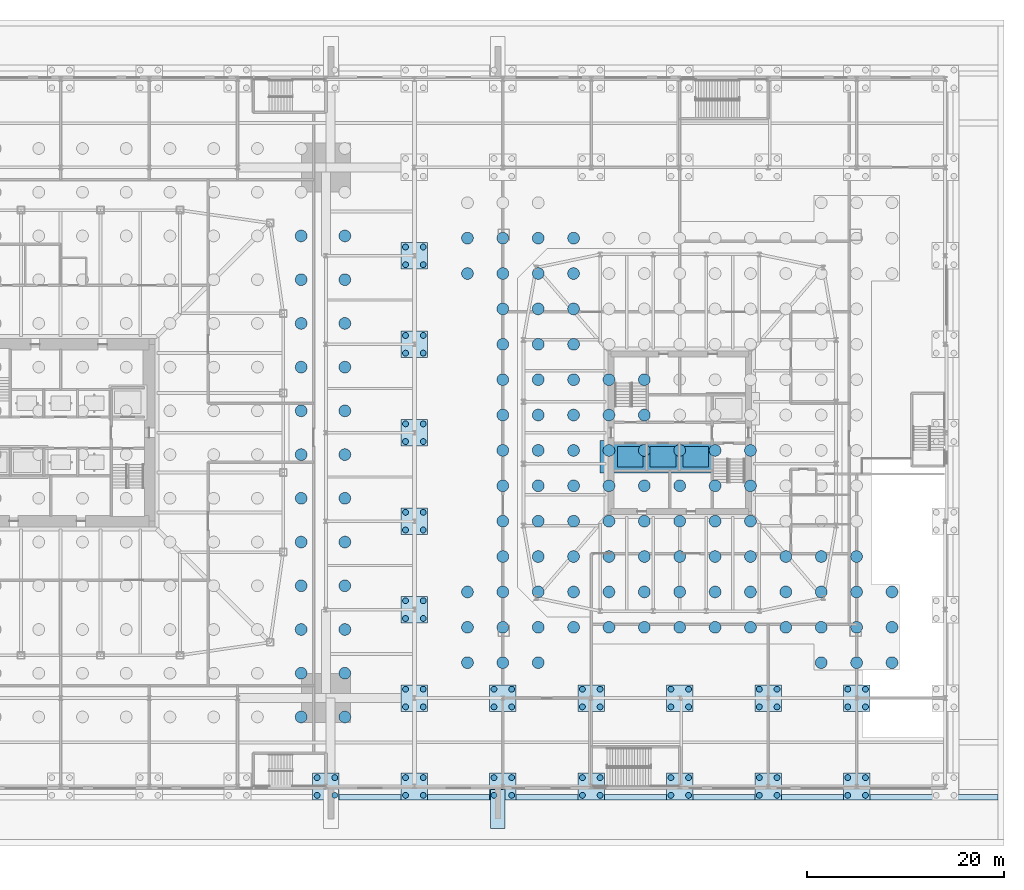
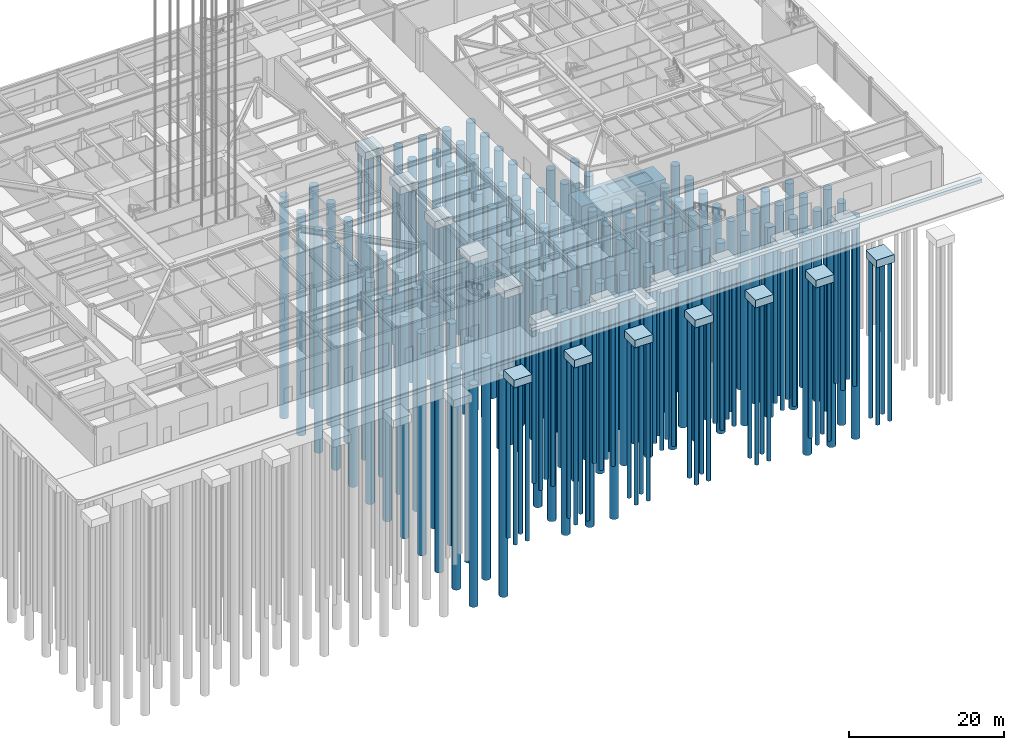
# One storey, part 2 of 37: 187 piles, 25 footings.
"""IFC4 building model written with IfcOpenShell, lengths in metres."""

import ifcopenshell
import ifcopenshell.guid

model = None  # the IFC model being written
_history = None  # IfcOwnerHistory: only IFC2X3 demands one
_inside = {}  # id of a spatial element -> (the spatial element, [elements in it])
_under = {}  # id of a project, library or spatial element -> (it, [spatial elements below it])
_declared = {}  # id of a project -> (the project, [libraries it declares])
_typed = {}  # id of a type object -> (the type object, [elements of that type])
_made_of = {}  # id of a material, layer set ... -> (it, [elements and type objects made of it])


def new_model(schema):
    """Start an empty IFC model of exactly this schema.

    Asked for "IFC4X3", IfcOpenShell would pick the latest addendum, in which some entities
    have other attributes; the version numbers below select the first issue.
    IFC2X3 requires an IfcOwnerHistory on every rooted entity: one is made here for all.
    """
    global model, _history
    if schema == "IFC4X3":
        model = ifcopenshell.file(schema_version=(4, 3, 0, 0))
    else:
        model = ifcopenshell.file(schema=schema)
    _inside.clear()
    _under.clear()
    _declared.clear()
    _typed.clear()
    _made_of.clear()
    _history = None
    if model.schema == "IFC2X3":
        org = make("IfcOrganization", Name="unknown")
        user = make(
            "IfcPersonAndOrganization",
            ThePerson=make("IfcPerson", FamilyName="unknown"),
            TheOrganization=org,
        )
        app = make(
            "IfcApplication",
            ApplicationDeveloper=org,
            Version="unknown",
            ApplicationFullName="unknown",
            ApplicationIdentifier="unknown",
        )
        _history = make(
            "IfcOwnerHistory",
            OwningUser=user,
            OwningApplication=app,
            ChangeAction="ADDED",
            CreationDate=0,
        )
    return model


def make(cls, **values):
    """One entity of the class cls with the attributes given. An attribute that is None is left unset."""
    return model.create_entity(
        cls, **{name: value for name, value in values.items() if value is not None}
    )


def rooted(cls, **values):
    """An entity with a GlobalId (a new one), such as an element, a storey or a relation."""
    return make(cls, GlobalId=ifcopenshell.guid.new(), OwnerHistory=_history, **values)


def si_unit(unit_type, name, prefix=None):
    """IfcSIUnit, for example si_unit("LENGTHUNIT", "METRE", prefix="MILLI")."""
    return make("IfcSIUnit", UnitType=unit_type, Prefix=prefix, Name=name)


def assignment(units):
    """IfcUnitAssignment: the units of a project."""
    return None if units is None else make("IfcUnitAssignment", Units=units)


def point(xyz):
    """IfcCartesianPoint."""
    return None if xyz is None else make("IfcCartesianPoint", Coordinates=xyz)


def direction(xyz):
    """IfcDirection."""
    return None if xyz is None else make("IfcDirection", DirectionRatios=xyz)


def frame(location, z_axis=None, x_axis=None):
    """IfcAxis2Placement3D, a coordinate frame: its origin and axes. An axis left out is left unset."""
    return make(
        "IfcAxis2Placement3D",
        Location=point(location),
        Axis=direction(z_axis),
        RefDirection=direction(x_axis),
    )


def frame_2d(location, x_axis=None):
    """IfcAxis2Placement2D, a coordinate frame in the plane: its origin and x axis."""
    return make(
        "IfcAxis2Placement2D", Location=point(location), RefDirection=direction(x_axis)
    )


def origin():
    """The frame at (0, 0, 0) with its axes left unset."""
    return frame((0.0, 0.0, 0.0))


def origin_2d():
    """The frame at (0, 0) in the plane with its x axis left unset."""
    return frame_2d((0.0, 0.0))


def place(relative_to, where):
    """IfcLocalPlacement: puts the frame where relative to a parent placement (None: the world)."""
    return make(
        "IfcLocalPlacement", PlacementRelTo=relative_to, RelativePlacement=where
    )


def context(
    kind, dimensions, precision=None, world=None, true_north=None, identifier=None
):
    """IfcGeometricRepresentationContext, for example the 3D "Model" context."""
    return make(
        "IfcGeometricRepresentationContext",
        ContextIdentifier=identifier,
        ContextType=kind,
        CoordinateSpaceDimension=dimensions,
        Precision=precision,
        WorldCoordinateSystem=world,
        TrueNorth=true_north,
    )


def subcontext(parent, identifier, kind, view, scale=None):
    """IfcGeometricRepresentationSubContext, for example "Body" below "Model"."""
    return make(
        "IfcGeometricRepresentationSubContext",
        ContextIdentifier=identifier,
        ContextType=kind,
        ParentContext=parent,
        TargetScale=scale,
        TargetView=view,
    )


def project(units=None, contexts=None):
    """IfcProject with its units and contexts."""
    return rooted(
        "IfcProject",
        Name="project",
        RepresentationContexts=contexts,
        UnitsInContext=assignment(units),
    )


def spatial(cls, under=None, at=None, **own):
    """A site, building, storey or space (cls), placed at a placement, below another one or the project."""
    s = rooted(cls, ObjectPlacement=at, **own)
    if under is not None:
        _under.setdefault(under.id(), (under, []))[1].append(s)
    return s


def polyline(points):
    """IfcPolyline through the points."""
    return make("IfcPolyline", Points=[point(p) for p in points])


def profile(cls, at=None, kind="AREA", **sizes):
    """A parametric profile (cls). Its sizes go by their IFC names, for example OverallWidth=200.0."""
    return make(cls, ProfileType=kind, Position=at, **sizes)


def rectangle(**sizes):
    """IfcRectangleProfileDef."""
    return profile("IfcRectangleProfileDef", **sizes)


def circle(**sizes):
    """IfcCircleProfileDef."""
    return profile("IfcCircleProfileDef", **sizes)


def outline(outer, holes=None, kind="AREA"):
    """IfcArbitraryClosedProfileDef: a profile drawn as a closed curve; with holes, ...WithVoids."""
    if holes is None:
        return make("IfcArbitraryClosedProfileDef", ProfileType=kind, OuterCurve=outer)
    return make(
        "IfcArbitraryProfileDefWithVoids",
        ProfileType=kind,
        OuterCurve=outer,
        InnerCurves=holes,
    )


def extrude(swept, where, along, depth):
    """IfcExtrudedAreaSolid: the profile swept, set in the frame where, extruded along a direction by depth."""
    return make(
        "IfcExtrudedAreaSolid",
        SweptArea=swept,
        Position=where,
        ExtrudedDirection=direction(along),
        Depth=depth,
    )


def shape(context_of_items, identifier, shape_type, items):
    """IfcShapeRepresentation: the items that make up one representation, for example the "Body"."""
    return make(
        "IfcShapeRepresentation",
        ContextOfItems=context_of_items,
        RepresentationIdentifier=identifier,
        RepresentationType=shape_type,
        Items=items,
    )


def material(Name=None, Category=None):
    """IfcMaterial."""
    return make("IfcMaterial", Name=Name, Category=Category)


def material_profile(
    of_material, cross_section, Name=None, Category=None, Priority=None
):
    """IfcMaterialProfile: a cross section and its material."""
    return make(
        "IfcMaterialProfile",
        Name=Name,
        Material=of_material,
        Profile=cross_section,
        Priority=Priority,
        Category=Category,
    )


def profile_set(profiles, Name=None, composite=None):
    """IfcMaterialProfileSet."""
    return make(
        "IfcMaterialProfileSet",
        Name=Name,
        MaterialProfiles=profiles,
        CompositeProfile=composite,
    )


def made_of(thing, what):
    """Note that an element or type object is made of a material, layer set ...; save() writes the relation."""
    if what is not None:
        _made_of.setdefault(what.id(), (what, []))[1].append(thing)
    return thing


def type_object(cls, material=None, **own):
    """A type object (cls), such as IfcWallType, which elements share."""
    return made_of(rooted(cls, **own), material)


def element(
    cls,
    number,
    at=None,
    inside=None,
    cuts=None,
    type_object=None,
    material=None,
    context=None,
    identifier="Body",
    shape_type=None,
    held_by="IfcProductDefinitionShape",
    body=None,
    shapes=None,
    **own,
):
    """One element of the class cls, such as IfcWall. Its Tag is "e" and its number.

    at: its placement. inside: the storey or other place that contains it. cuts: it is an
    opening in that element (IfcRelVoidsElement). A single representation is given by context,
    identifier, shape_type and body (its items); several are given by shapes. held_by: the class
    of the entity that holds the representations. save() writes the other relations.
    """
    e = rooted(cls, Tag="e%d" % number, ObjectPlacement=at, **own)
    if body is not None:
        shapes = [shape(context, identifier, shape_type, body)]
    if shapes is not None:
        e.Representation = make(held_by, Representations=shapes)
    if inside is not None:
        _inside.setdefault(inside.id(), (inside, []))[1].append(e)
    if cuts is not None:
        rooted(
            "IfcRelVoidsElement", RelatingBuildingElement=cuts, RelatedOpeningElement=e
        )
    if type_object is not None:
        _typed.setdefault(type_object.id(), (type_object, []))[1].append(e)
    return made_of(e, material)


def aggregate(whole, parts):
    """IfcRelAggregates: a whole, such as a stair, and the parts it consists of."""
    return rooted("IfcRelAggregates", RelatingObject=whole, RelatedObjects=parts)


def save(model, path):
    """Write the relations noted so far, then the file.

    IfcRelAggregates (storeys below a building ...), IfcRelContainedInSpatialStructure (elements
    in a storey), IfcRelDefinesByType, IfcRelAssociatesMaterial and IfcRelDeclares: one each for
    every whole, place, type object, material and project.
    """
    for whole, parts in _under.values():
        aggregate(whole, parts)
    for where, things in _inside.values():
        rooted(
            "IfcRelContainedInSpatialStructure",
            RelatedElements=things,
            RelatingStructure=where,
        )
    for kind, things in _typed.values():
        rooted("IfcRelDefinesByType", RelatedObjects=things, RelatingType=kind)
    for what, things in _made_of.values():
        rooted("IfcRelAssociatesMaterial", RelatedObjects=things, RelatingMaterial=what)
    for by, libraries in _declared.values():
        rooted("IfcRelDeclares", RelatingContext=by, RelatedDefinitions=libraries)
    model.write(path)


model = new_model("IFC4")

# Units and contexts
model_context = context("Model", 3, precision=1e-05, world=origin(), true_north=direction((0.0, 1.0)))
body_context = subcontext(model_context, "Body", "Model", "MODEL_VIEW")
ifc_project = project(units=[si_unit("LENGTHUNIT", "METRE"), si_unit("AREAUNIT", "SQUARE_METRE"), si_unit("VOLUMEUNIT", "CUBIC_METRE"), si_unit("PLANEANGLEUNIT", "RADIAN"), si_unit("MASSUNIT", "GRAM", prefix="KILO")], contexts=[model_context])

# Site, building, storey
site_placement = place(None, origin())
site = spatial("IfcSite", under=ifc_project, at=site_placement, CompositionType="ELEMENT")
building_placement = place(site_placement, origin())
building = spatial("IfcBuilding", under=site, at=building_placement, Name="Iwan Alto Co-Living Towers", CompositionType="ELEMENT")
storey_placement = place(building_placement, origin())
storey = spatial("IfcBuildingStorey", under=building, at=storey_placement, Name="L00", CompositionType="ELEMENT", Elevation=0.0)

# Piles
ifc_material_1 = material(Name="Concrete f'c 35 MPa", Category="concrete")
ifc_material_profile_1 = material_profile(ifc_material_1, circle(Radius=0.60009765625, at=origin_2d()), Name="D1200")
ifc_profile_set_1 = profile_set([ifc_material_profile_1], Name="Concrete f'c 35 MPa")
pile_type_1 = type_object("IfcPileType", Name="BORED PILE D1200", PredefinedType="BORED", material=ifc_profile_set_1)
for number, where, z_axis, x_axis, name in (
    (1, (24.47509765625, -28.925048828125, -12.5), (0.0, 0.0, -1.0), (1.0, 0.0, 0.0), "T1 raft pile 13-1"),
    (2, (24.47509765625, -24.47509765625, -12.5), (0.0, 0.0, -1.0), (1.0, 0.0, 0.0), "T1 raft pile 13-2"),
    (3, (24.47509765625, -20.02490234375, -12.5), (0.0, 0.0, -1.0), (1.0, 0.0, 0.0), "T1 raft pile 13-3"),
    (4, (24.47509765625, -15.574951171875, -12.5), (0.0, 0.0, -1.0), (1.0, 0.0, 0.0), "T1 raft pile 13-4"),
    (5, (24.47509765625, -11.125, -12.5), (0.0, 0.0, -1.0), (1.0, 0.0, 0.0), "T1 raft pile 13-5"),
    (6, (24.47509765625, -6.675048828125, -12.5), (0.0, 0.0, -1.0), (1.0, 0.0, 0.0), "T1 raft pile 13-6"),
    (7, (24.47509765625, -2.22509765625, -12.5), (0.0, 0.0, -1.0), (1.0, 0.0, 0.0), "T1 raft pile 13-7"),
    (8, (24.47509765625, 2.22509765625, -12.5), (0.0, 0.0, -1.0), (1.0, 0.0, 0.0), "T1 raft pile 13-8"),
    (9, (24.47509765625, 6.675048828125, -12.5), (0.0, 0.0, -1.0), (1.0, 0.0, 0.0), "T1 raft pile 13-9"),
    (10, (24.47509765625, 11.125, -12.5), (0.0, 0.0, -1.0), (1.0, 0.0, 0.0), "T1 raft pile 13-10"),
    (11, (24.47509765625, 15.574951171875, -12.5), (0.0, 0.0, -1.0), (1.0, 0.0, 0.0), "T1 raft pile 13-11"),
    (12, (24.47509765625, 20.02490234375, -12.5), (0.0, 0.0, -1.0), (1.0, 0.0, 0.0), "T1 raft pile 13-12"),
    (13, (28.925048828125, -28.925048828125, -12.5), (0.0, 0.0, -1.0), (1.0, 0.0, 0.0), "T1 raft pile 14-1"),
    (14, (28.925048828125, -24.47509765625, -12.5), (0.0, 0.0, -1.0), (1.0, 0.0, 0.0), "T1 raft pile 14-2"),
    (15, (28.925048828125, -20.02490234375, -12.5), (0.0, 0.0, -1.0), (1.0, 0.0, 0.0), "T1 raft pile 14-3"),
    (16, (28.925048828125, -15.574951171875, -12.5), (0.0, 0.0, -1.0), (1.0, 0.0, 0.0), "T1 raft pile 14-4"),
    (17, (28.925048828125, -11.125, -12.5), (0.0, 0.0, -1.0), (1.0, 0.0, 0.0), "T1 raft pile 14-5"),
    (18, (28.925048828125, -6.675048828125, -12.5), (0.0, 0.0, -1.0), (1.0, 0.0, 0.0), "T1 raft pile 14-6"),
    (19, (28.925048828125, -2.22509765625, -12.5), (0.0, 0.0, -1.0), (1.0, 0.0, 0.0), "T1 raft pile 14-7"),
    (20, (28.925048828125, 2.22509765625, -12.5), (0.0, 0.0, -1.0), (1.0, 0.0, 0.0), "T1 raft pile 14-8"),
    (21, (28.925048828125, 6.675048828125, -12.5), (0.0, 0.0, -1.0), (1.0, 0.0, 0.0), "T1 raft pile 14-9"),
    (22, (28.925048828125, 11.125, -12.5), (0.0, 0.0, -1.0), (1.0, 0.0, 0.0), "T1 raft pile 14-10"),
    (23, (28.925048828125, 15.574951171875, -12.5), (0.0, 0.0, -1.0), (1.0, 0.0, 0.0), "T1 raft pile 14-11"),
    (24, (28.925048828125, 20.02490234375, -12.5), (0.0, 0.0, -1.0), (1.0, 0.0, 0.0), "T1 raft pile 14-12"),
):
    element("IfcPile", number, at=place(storey_placement, frame(where, z_axis=z_axis, x_axis=x_axis)), inside=storey, type_object=pile_type_1, Name=name, PredefinedType="BORED", context=body_context, shape_type="SweptSolid", body=[
        extrude(circle(Radius=0.60009765625, at=origin_2d()), origin(), (0.0, 0.0, 1.0), 35.0),
    ])
for number, where, z_axis, x_axis, name in (
    (25, (45.0, -19.800048828125, -10.449951171875), (0.0, 0.0, -1.0), (1.0, 0.0, 0.0), "T2 raft pile 1-1"),
    (26, (45.0, -16.199951171875, -10.449951171875), (0.0, 0.0, -1.0), (1.0, 0.0, 0.0), "T2 raft pile 1-2"),
    (27, (45.0, -12.60009765625, -10.449951171875), (0.0, 0.0, -1.0), (1.0, 0.0, 0.0), "T2 raft pile 1-3"),
    (28, (45.0, -9.0, -10.449951171875), (0.0, 0.0, -1.0), (1.0, 0.0, 0.0), "T2 raft pile 1-4"),
    (29, (45.0, -5.39990234375, -10.449951171875), (0.0, 0.0, -1.0), (1.0, 0.0, 0.0), "T2 raft pile 1-5"),
    (30, (45.0, -1.800048828125, -10.449951171875), (0.0, 0.0, -1.0), (1.0, 0.0, 0.0), "T2 raft pile 1-6"),
    (31, (45.0, 1.800048828125, -10.449951171875), (0.0, 0.0, -1.0), (1.0, 0.0, 0.0), "T2 raft pile 1-7"),
    (32, (45.0, 5.39990234375, -10.449951171875), (0.0, 0.0, -1.0), (1.0, 0.0, 0.0), "T2 raft pile 1-8"),
    (33, (45.0, 9.0, -10.449951171875), (0.0, 0.0, -1.0), (1.0, 0.0, 0.0), "T2 raft pile 1-9"),
    (34, (45.0, 12.60009765625, -10.449951171875), (0.0, 0.0, -1.0), (1.0, 0.0, 0.0), "T2 raft pile 1-10"),
    (35, (45.0, 16.199951171875, -10.449951171875), (0.0, 0.0, -1.0), (1.0, 0.0, 0.0), "T2 raft pile 1-11"),
    (36, (45.0, 19.800048828125, -10.449951171875), (0.0, 0.0, -1.0), (1.0, 0.0, 0.0), "T2 raft pile 1-12"),
    (37, (48.60009765625, -19.800048828125, -10.449951171875), (0.0, 0.0, -1.0), (1.0, 0.0, 0.0), "T2 raft pile 2-1"),
    (38, (48.60009765625, -16.199951171875, -10.449951171875), (0.0, 0.0, -1.0), (1.0, 0.0, 0.0), "T2 raft pile 2-2"),
    (39, (48.60009765625, -12.60009765625, -10.449951171875), (0.0, 0.0, -1.0), (1.0, 0.0, 0.0), "T2 raft pile 2-3"),
    (40, (48.60009765625, -9.0, -10.449951171875), (0.0, 0.0, -1.0), (1.0, 0.0, 0.0), "T2 raft pile 2-4"),
    (41, (48.60009765625, -5.39990234375, -10.449951171875), (0.0, 0.0, -1.0), (1.0, 0.0, 0.0), "T2 raft pile 2-5"),
    (42, (48.60009765625, -1.800048828125, -10.449951171875), (0.0, 0.0, -1.0), (1.0, 0.0, 0.0), "T2 raft pile 2-6"),
    (43, (48.60009765625, 1.800048828125, -10.449951171875), (0.0, 0.0, -1.0), (1.0, 0.0, 0.0), "T2 raft pile 2-7"),
    (44, (48.60009765625, 5.39990234375, -10.449951171875), (0.0, 0.0, -1.0), (1.0, 0.0, 0.0), "T2 raft pile 2-8"),
    (45, (48.60009765625, 9.0, -10.449951171875), (0.0, 0.0, -1.0), (1.0, 0.0, 0.0), "T2 raft pile 2-9"),
    (46, (48.60009765625, 12.60009765625, -10.449951171875), (0.0, 0.0, -1.0), (1.0, 0.0, 0.0), "T2 raft pile 2-10"),
    (47, (48.60009765625, 16.199951171875, -10.449951171875), (0.0, 0.0, -1.0), (1.0, 0.0, 0.0), "T2 raft pile 2-11"),
    (48, (48.60009765625, 19.800048828125, -10.449951171875), (0.0, 0.0, -1.0), (1.0, 0.0, 0.0), "T2 raft pile 2-12"),
    (49, (52.199951171875, -19.800048828125, -10.449951171875), (0.0, 0.0, -1.0), (1.0, 0.0, 0.0), "T2 raft pile 3-1"),
    (50, (52.199951171875, -16.199951171875, -10.449951171875), (0.0, 0.0, -1.0), (1.0, 0.0, 0.0), "T2 raft pile 3-2"),
    (51, (52.199951171875, -12.60009765625, -10.449951171875), (0.0, 0.0, -1.0), (1.0, 0.0, 0.0), "T2 raft pile 3-3"),
    (52, (52.199951171875, -9.0, -10.449951171875), (0.0, 0.0, -1.0), (1.0, 0.0, 0.0), "T2 raft pile 3-4"),
    (53, (52.199951171875, -5.39990234375, -10.449951171875), (0.0, 0.0, -1.0), (1.0, 0.0, 0.0), "T2 raft pile 3-5"),
    (54, (52.199951171875, -1.800048828125, -10.449951171875), (0.0, 0.0, -1.0), (1.0, 0.0, 0.0), "T2 raft pile 3-6"),
    (55, (52.199951171875, 1.800048828125, -10.449951171875), (0.0, 0.0, -1.0), (1.0, 0.0, 0.0), "T2 raft pile 3-7"),
    (56, (52.199951171875, 5.39990234375, -10.449951171875), (0.0, 0.0, -1.0), (1.0, 0.0, 0.0), "T2 raft pile 3-8"),
    (57, (52.199951171875, 9.0, -10.449951171875), (0.0, 0.0, -1.0), (1.0, 0.0, 0.0), "T2 raft pile 3-9"),
    (58, (52.199951171875, 12.60009765625, -10.449951171875), (0.0, 0.0, -1.0), (1.0, 0.0, 0.0), "T2 raft pile 3-10"),
    (59, (52.199951171875, 16.199951171875, -10.449951171875), (0.0, 0.0, -1.0), (1.0, 0.0, 0.0), "T2 raft pile 3-11"),
    (60, (52.199951171875, 19.800048828125, -10.449951171875), (0.0, 0.0, -1.0), (1.0, 0.0, 0.0), "T2 raft pile 3-12"),
    (61, (55.800048828125, -19.800048828125, -10.449951171875), (0.0, 0.0, -1.0), (1.0, 0.0, 0.0), "T2 raft pile 4-1"),
    (62, (55.800048828125, -16.199951171875, -10.449951171875), (0.0, 0.0, -1.0), (1.0, 0.0, 0.0), "T2 raft pile 4-2"),
    (63, (55.800048828125, -12.60009765625, -10.449951171875), (0.0, 0.0, -1.0), (1.0, 0.0, 0.0), "T2 raft pile 4-3"),
    (64, (55.800048828125, -9.0, -10.449951171875), (0.0, 0.0, -1.0), (1.0, 0.0, 0.0), "T2 raft pile 4-4"),
    (65, (55.800048828125, -5.39990234375, -10.449951171875), (0.0, 0.0, -1.0), (1.0, 0.0, 0.0), "T2 raft pile 4-5"),
    (66, (55.800048828125, -1.800048828125, -13.449951171875), (0.0, 0.0, -1.0), (1.0, 0.0, 0.0), "T2 raft pile 4-6"),
    (67, (55.800048828125, 1.800048828125, -10.449951171875), (0.0, 0.0, -1.0), (1.0, 0.0, 0.0), "T2 raft pile 4-7"),
    (68, (55.800048828125, 5.39990234375, -10.449951171875), (0.0, 0.0, -1.0), (1.0, 0.0, 0.0), "T2 raft pile 4-8"),
    (69, (59.39990234375, -19.800048828125, -10.449951171875), (0.0, 0.0, -1.0), (1.0, 0.0, 0.0), "T2 raft pile 5-1"),
    (70, (59.39990234375, -16.199951171875, -10.449951171875), (0.0, 0.0, -1.0), (1.0, 0.0, 0.0), "T2 raft pile 5-2"),
    (71, (59.39990234375, -12.60009765625, -10.449951171875), (0.0, 0.0, -1.0), (1.0, 0.0, 0.0), "T2 raft pile 5-3"),
    (72, (59.39990234375, -9.0, -10.449951171875), (0.0, 0.0, -1.0), (1.0, 0.0, 0.0), "T2 raft pile 5-4"),
    (73, (59.39990234375, -5.39990234375, -10.449951171875), (0.0, 0.0, -1.0), (1.0, 0.0, 0.0), "T2 raft pile 5-5"),
    (74, (59.39990234375, -1.800048828125, -13.449951171875), (0.0, 0.0, -1.0), (1.0, 0.0, 0.0), "T2 raft pile 5-6"),
    (75, (59.39990234375, 1.800048828125, -10.449951171875), (0.0, 0.0, -1.0), (1.0, 0.0, 0.0), "T2 raft pile 5-7"),
    (76, (59.39990234375, 5.39990234375, -10.449951171875), (0.0, 0.0, -1.0), (1.0, 0.0, 0.0), "T2 raft pile 5-8"),
    (77, (63.0, -19.800048828125, -10.449951171875), (0.0, 0.0, -1.0), (1.0, 0.0, 0.0), "T2 raft pile 6-1"),
    (78, (63.0, -16.199951171875, -10.449951171875), (0.0, 0.0, -1.0), (1.0, 0.0, 0.0), "T2 raft pile 6-2"),
    (79, (63.0, -12.60009765625, -10.449951171875), (0.0, 0.0, -1.0), (1.0, 0.0, 0.0), "T2 raft pile 6-3"),
    (80, (63.0, -9.0, -10.449951171875), (0.0, 0.0, -1.0), (1.0, 0.0, 0.0), "T2 raft pile 6-4"),
    (81, (63.0, -5.39990234375, -10.449951171875), (0.0, 0.0, -1.0), (1.0, 0.0, 0.0), "T2 raft pile 6-5"),
    (82, (63.0, -1.800048828125, -13.449951171875), (0.0, 0.0, -1.0), (1.0, 0.0, 0.0), "T2 raft pile 6-6"),
    (83, (66.60009765625, -19.800048828125, -10.449951171875), (0.0, 0.0, -1.0), (1.0, 0.0, 0.0), "T2 raft pile 7-1"),
    (84, (66.60009765625, -16.199951171875, -10.449951171875), (0.0, 0.0, -1.0), (1.0, 0.0, 0.0), "T2 raft pile 7-2"),
    (85, (66.60009765625, -12.60009765625, -10.449951171875), (0.0, 0.0, -1.0), (1.0, 0.0, 0.0), "T2 raft pile 7-3"),
    (86, (66.60009765625, -9.0, -10.449951171875), (0.0, 0.0, -1.0), (1.0, 0.0, 0.0), "T2 raft pile 7-4"),
    (87, (66.60009765625, -5.39990234375, -10.449951171875), (0.0, 0.0, -1.0), (1.0, 0.0, 0.0), "T2 raft pile 7-5"),
    (88, (66.60009765625, -1.800048828125, -13.449951171875), (0.0, 0.0, -1.0), (1.0, 0.0, 0.0), "T2 raft pile 7-6"),
    (89, (70.199951171875, -19.800048828125, -10.449951171875), (0.0, 0.0, -1.0), (1.0, 0.0, 0.0), "T2 raft pile 8-1"),
    (90, (70.199951171875, -16.199951171875, -10.449951171875), (0.0, 0.0, -1.0), (1.0, 0.0, 0.0), "T2 raft pile 8-2"),
    (91, (70.199951171875, -12.60009765625, -10.449951171875), (0.0, 0.0, -1.0), (1.0, 0.0, 0.0), "T2 raft pile 8-3"),
    (92, (70.199951171875, -9.0, -10.449951171875), (0.0, 0.0, -1.0), (1.0, 0.0, 0.0), "T2 raft pile 8-4"),
    (93, (70.199951171875, -5.39990234375, -10.449951171875), (0.0, 0.0, -1.0), (1.0, 0.0, 0.0), "T2 raft pile 8-5"),
    (94, (70.199951171875, -1.800048828125, -10.449951171875), (0.0, 0.0, -1.0), (1.0, 0.0, 0.0), "T2 raft pile 8-6"),
    (95, (73.800048828125, -19.800048828125, -10.449951171875), (0.0, 0.0, -1.0), (1.0, 0.0, 0.0), "T2 raft pile 9-1"),
    (96, (73.800048828125, -16.199951171875, -10.449951171875), (0.0, 0.0, -1.0), (1.0, 0.0, 0.0), "T2 raft pile 9-2"),
    (97, (73.800048828125, -12.60009765625, -10.449951171875), (0.0, 0.0, -1.0), (1.0, 0.0, 0.0), "T2 raft pile 9-3"),
    (98, (77.39990234375, -19.800048828125, -10.449951171875), (0.0, 0.0, -1.0), (1.0, 0.0, 0.0), "T2 raft pile 10-1"),
    (99, (77.39990234375, -16.199951171875, -10.449951171875), (0.0, 0.0, -1.0), (1.0, 0.0, 0.0), "T2 raft pile 10-2"),
    (100, (77.39990234375, -12.60009765625, -10.449951171875), (0.0, 0.0, -1.0), (1.0, 0.0, 0.0), "T2 raft pile 10-3"),
    (101, (81.0, -19.800048828125, -10.449951171875), (0.0, 0.0, -1.0), (1.0, 0.0, 0.0), "T2 raft pile 11-1"),
    (102, (81.0, -16.199951171875, -10.449951171875), (0.0, 0.0, -1.0), (1.0, 0.0, 0.0), "T2 raft pile 11-2"),
    (103, (81.0, -12.60009765625, -10.449951171875), (0.0, 0.0, -1.0), (1.0, 0.0, 0.0), "T2 raft pile 11-3"),
):
    element("IfcPile", number, at=place(storey_placement, frame(where, z_axis=z_axis, x_axis=x_axis)), inside=storey, type_object=pile_type_1, Name=name, PredefinedType="BORED", context=body_context, shape_type="SweptSolid", body=[
        extrude(circle(Radius=0.60009765625, at=origin_2d()), origin(), (0.0, 0.0, 1.0), 30.0),
    ])
ifc_material_2 = material(Name="Concrete f'c 35 MPa", Category="concrete")
ifc_material_profile_2 = material_profile(ifc_material_2, circle(Radius=0.300048828125, at=origin_2d()), Name="D600")
ifc_profile_set_2 = profile_set([ifc_material_profile_2], Name="Concrete f'c 35 MPa")
pile_type_2 = type_object("IfcPileType", Name="BORED PILE D600", PredefinedType="BORED", material=ifc_profile_set_2)
for number, where, z_axis, x_axis, name in (
    (104, (26.10009765625, -36.89990234375, -8.64990234375), (0.0, 0.0, -1.0), (1.0, 0.0, 0.0), "Pile 8/A/1"),
    (105, (27.89990234375, -36.89990234375, -8.64990234375), (0.0, 0.0, -1.0), (1.0, 0.0, 0.0), "Pile 8/A/2"),
    (106, (27.89990234375, -35.10009765625, -8.64990234375), (0.0, 0.0, -1.0), (1.0, 0.0, 0.0), "Pile 8/A/3"),
    (107, (26.10009765625, -35.10009765625, -8.64990234375), (0.0, 0.0, -1.0), (1.0, 0.0, 0.0), "Pile 8/A/4"),
    (108, (35.10009765625, -36.89990234375, -8.64990234375), (0.0, 0.0, -1.0), (1.0, 0.0, 0.0), "Pile 9/A/1"),
    (109, (36.89990234375, -36.89990234375, -8.64990234375), (0.0, 0.0, -1.0), (1.0, 0.0, 0.0), "Pile 9/A/2"),
    (110, (36.89990234375, -35.10009765625, -8.64990234375), (0.0, 0.0, -1.0), (1.0, 0.0, 0.0), "Pile 9/A/3"),
    (111, (35.10009765625, -35.10009765625, -8.64990234375), (0.0, 0.0, -1.0), (1.0, 0.0, 0.0), "Pile 9/A/4"),
    (112, (35.10009765625, -27.89990234375, -8.64990234375), (0.0, 0.0, -1.0), (1.0, 0.0, 0.0), "Pile 9/B/1"),
    (113, (36.89990234375, -27.89990234375, -8.64990234375), (0.0, 0.0, -1.0), (1.0, 0.0, 0.0), "Pile 9/B/2"),
    (114, (36.89990234375, -26.10009765625, -8.64990234375), (0.0, 0.0, -1.0), (1.0, 0.0, 0.0), "Pile 9/B/3"),
    (115, (35.10009765625, -26.10009765625, -8.64990234375), (0.0, 0.0, -1.0), (1.0, 0.0, 0.0), "Pile 9/B/4"),
    (116, (35.10009765625, -18.89990234375, -8.64990234375), (0.0, 0.0, -1.0), (1.0, 0.0, 0.0), "Pile 9/C/1"),
    (117, (36.89990234375, -18.89990234375, -8.64990234375), (0.0, 0.0, -1.0), (1.0, 0.0, 0.0), "Pile 9/C/2"),
    (118, (36.89990234375, -17.10009765625, -8.64990234375), (0.0, 0.0, -1.0), (1.0, 0.0, 0.0), "Pile 9/C/3"),
    (119, (35.10009765625, -17.10009765625, -8.64990234375), (0.0, 0.0, -1.0), (1.0, 0.0, 0.0), "Pile 9/C/4"),
    (120, (35.10009765625, -9.89990234375, -8.64990234375), (0.0, 0.0, -1.0), (1.0, 0.0, 0.0), "Pile 9/D/1"),
    (121, (36.89990234375, -9.89990234375, -8.64990234375), (0.0, 0.0, -1.0), (1.0, 0.0, 0.0), "Pile 9/D/2"),
    (122, (36.89990234375, -8.10009765625, -8.64990234375), (0.0, 0.0, -1.0), (1.0, 0.0, 0.0), "Pile 9/D/3"),
    (123, (35.10009765625, -8.10009765625, -8.64990234375), (0.0, 0.0, -1.0), (1.0, 0.0, 0.0), "Pile 9/D/4"),
    (124, (35.10009765625, -0.89990234375, -8.64990234375), (0.0, 0.0, -1.0), (1.0, 0.0, 0.0), "Pile 9/E/1"),
    (125, (36.89990234375, -0.89990234375, -8.64990234375), (0.0, 0.0, -1.0), (1.0, 0.0, 0.0), "Pile 9/E/2"),
    (126, (36.89990234375, 0.89990234375, -8.64990234375), (0.0, 0.0, -1.0), (1.0, 0.0, 0.0), "Pile 9/E/3"),
    (127, (35.10009765625, 0.89990234375, -8.64990234375), (0.0, 0.0, -1.0), (1.0, 0.0, 0.0), "Pile 9/E/4"),
    (128, (35.10009765625, 8.10009765625, -8.64990234375), (0.0, 0.0, -1.0), (1.0, 0.0, 0.0), "Pile 9/F/1"),
    (129, (36.89990234375, 8.10009765625, -8.64990234375), (0.0, 0.0, -1.0), (1.0, 0.0, 0.0), "Pile 9/F/2"),
    (130, (36.89990234375, 9.89990234375, -8.64990234375), (0.0, 0.0, -1.0), (1.0, 0.0, 0.0), "Pile 9/F/3"),
    (131, (35.10009765625, 9.89990234375, -8.64990234375), (0.0, 0.0, -1.0), (1.0, 0.0, 0.0), "Pile 9/F/4"),
    (132, (35.10009765625, 17.10009765625, -8.64990234375), (0.0, 0.0, -1.0), (1.0, 0.0, 0.0), "Pile 9/G/1"),
    (133, (36.89990234375, 17.10009765625, -8.64990234375), (0.0, 0.0, -1.0), (1.0, 0.0, 0.0), "Pile 9/G/2"),
    (134, (36.89990234375, 18.89990234375, -8.64990234375), (0.0, 0.0, -1.0), (1.0, 0.0, 0.0), "Pile 9/G/3"),
    (135, (35.10009765625, 18.89990234375, -8.64990234375), (0.0, 0.0, -1.0), (1.0, 0.0, 0.0), "Pile 9/G/4"),
    (136, (44.10009765625, -36.89990234375, -8.64990234375), (0.0, 0.0, -1.0), (1.0, 0.0, 0.0), "Pile 10/A/1"),
    (137, (45.89990234375, -36.89990234375, -8.64990234375), (0.0, 0.0, -1.0), (1.0, 0.0, 0.0), "Pile 10/A/2"),
    (138, (45.89990234375, -35.10009765625, -8.64990234375), (0.0, 0.0, -1.0), (1.0, 0.0, 0.0), "Pile 10/A/3"),
    (139, (44.10009765625, -35.10009765625, -8.64990234375), (0.0, 0.0, -1.0), (1.0, 0.0, 0.0), "Pile 10/A/4"),
    (140, (44.10009765625, -27.89990234375, -8.64990234375), (0.0, 0.0, -1.0), (1.0, 0.0, 0.0), "Pile 10/B/1"),
    (141, (45.89990234375, -27.89990234375, -8.64990234375), (0.0, 0.0, -1.0), (1.0, 0.0, 0.0), "Pile 10/B/2"),
    (142, (45.89990234375, -26.10009765625, -8.64990234375), (0.0, 0.0, -1.0), (1.0, 0.0, 0.0), "Pile 10/B/3"),
    (143, (44.10009765625, -26.10009765625, -8.64990234375), (0.0, 0.0, -1.0), (1.0, 0.0, 0.0), "Pile 10/B/4"),
    (144, (53.10009765625, -36.89990234375, -8.64990234375), (0.0, 0.0, -1.0), (1.0, 0.0, 0.0), "Pile 11/A/1"),
    (145, (54.89990234375, -36.89990234375, -8.64990234375), (0.0, 0.0, -1.0), (1.0, 0.0, 0.0), "Pile 11/A/2"),
    (146, (54.89990234375, -35.10009765625, -8.64990234375), (0.0, 0.0, -1.0), (1.0, 0.0, 0.0), "Pile 11/A/3"),
    (147, (53.10009765625, -35.10009765625, -8.64990234375), (0.0, 0.0, -1.0), (1.0, 0.0, 0.0), "Pile 11/A/4"),
    (148, (53.10009765625, -27.89990234375, -8.64990234375), (0.0, 0.0, -1.0), (1.0, 0.0, 0.0), "Pile 11/B/1"),
    (149, (54.89990234375, -27.89990234375, -8.64990234375), (0.0, 0.0, -1.0), (1.0, 0.0, 0.0), "Pile 11/B/2"),
    (150, (54.89990234375, -26.10009765625, -8.64990234375), (0.0, 0.0, -1.0), (1.0, 0.0, 0.0), "Pile 11/B/3"),
    (151, (53.10009765625, -26.10009765625, -8.64990234375), (0.0, 0.0, -1.0), (1.0, 0.0, 0.0), "Pile 11/B/4"),
    (152, (62.10009765625, -36.89990234375, -8.64990234375), (0.0, 0.0, -1.0), (1.0, 0.0, 0.0), "Pile 12/A/1"),
    (153, (63.89990234375, -36.89990234375, -8.64990234375), (0.0, 0.0, -1.0), (1.0, 0.0, 0.0), "Pile 12/A/2"),
    (154, (63.89990234375, -35.10009765625, -8.64990234375), (0.0, 0.0, -1.0), (1.0, 0.0, 0.0), "Pile 12/A/3"),
    (155, (62.10009765625, -35.10009765625, -8.64990234375), (0.0, 0.0, -1.0), (1.0, 0.0, 0.0), "Pile 12/A/4"),
    (156, (62.10009765625, -27.89990234375, -8.64990234375), (0.0, 0.0, -1.0), (1.0, 0.0, 0.0), "Pile 12/B/1"),
    (157, (63.89990234375, -27.89990234375, -8.64990234375), (0.0, 0.0, -1.0), (1.0, 0.0, 0.0), "Pile 12/B/2"),
    (158, (63.89990234375, -26.10009765625, -8.64990234375), (0.0, 0.0, -1.0), (1.0, 0.0, 0.0), "Pile 12/B/3"),
    (159, (62.10009765625, -26.10009765625, -8.64990234375), (0.0, 0.0, -1.0), (1.0, 0.0, 0.0), "Pile 12/B/4"),
    (160, (71.10009765625, -36.89990234375, -8.64990234375), (0.0, 0.0, -1.0), (1.0, 0.0, 0.0), "Pile 13/A/1"),
    (161, (72.89990234375, -36.89990234375, -8.64990234375), (0.0, 0.0, -1.0), (1.0, 0.0, 0.0), "Pile 13/A/2"),
    (162, (72.89990234375, -35.10009765625, -8.64990234375), (0.0, 0.0, -1.0), (1.0, 0.0, 0.0), "Pile 13/A/3"),
    (163, (71.10009765625, -35.10009765625, -8.64990234375), (0.0, 0.0, -1.0), (1.0, 0.0, 0.0), "Pile 13/A/4"),
    (164, (71.10009765625, -27.89990234375, -8.64990234375), (0.0, 0.0, -1.0), (1.0, 0.0, 0.0), "Pile 13/B/1"),
    (165, (72.89990234375, -27.89990234375, -8.64990234375), (0.0, 0.0, -1.0), (1.0, 0.0, 0.0), "Pile 13/B/2"),
    (166, (72.89990234375, -26.10009765625, -8.64990234375), (0.0, 0.0, -1.0), (1.0, 0.0, 0.0), "Pile 13/B/3"),
    (167, (71.10009765625, -26.10009765625, -8.64990234375), (0.0, 0.0, -1.0), (1.0, 0.0, 0.0), "Pile 13/B/4"),
    (168, (80.10009765625, -36.89990234375, -8.64990234375), (0.0, 0.0, -1.0), (1.0, 0.0, 0.0), "Pile 14/A/1"),
    (169, (81.89990234375, -36.89990234375, -8.64990234375), (0.0, 0.0, -1.0), (1.0, 0.0, 0.0), "Pile 14/A/2"),
    (170, (81.89990234375, -35.10009765625, -8.64990234375), (0.0, 0.0, -1.0), (1.0, 0.0, 0.0), "Pile 14/A/3"),
    (171, (80.10009765625, -35.10009765625, -8.64990234375), (0.0, 0.0, -1.0), (1.0, 0.0, 0.0), "Pile 14/A/4"),
    (172, (80.10009765625, -27.89990234375, -8.64990234375), (0.0, 0.0, -1.0), (1.0, 0.0, 0.0), "Pile 14/B/1"),
    (173, (81.89990234375, -27.89990234375, -8.64990234375), (0.0, 0.0, -1.0), (1.0, 0.0, 0.0), "Pile 14/B/2"),
    (174, (81.89990234375, -26.10009765625, -8.64990234375), (0.0, 0.0, -1.0), (1.0, 0.0, 0.0), "Pile 14/B/3"),
    (175, (80.10009765625, -26.10009765625, -8.64990234375), (0.0, 0.0, -1.0), (1.0, 0.0, 0.0), "Pile 14/B/4"),
):
    element("IfcPile", number, at=place(storey_placement, frame(where, z_axis=z_axis, x_axis=x_axis)), inside=storey, type_object=pile_type_2, Name=name, PredefinedType="BORED", context=body_context, shape_type="SweptSolid", body=[
        extrude(circle(Radius=0.300048828125, at=origin_2d()), origin(), (0.0, 0.0, 1.0), 25.0),
    ])
ifc_material_3 = material(Name="Concrete f'c 35 MPa", Category="concrete")
ifc_material_profile_3 = material_profile(ifc_material_3, circle(Radius=0.60009765625, at=origin_2d()), Name="D1200")
ifc_profile_set_3 = profile_set([ifc_material_profile_3], Name="Concrete f'c 35 MPa")
pile_type_3 = type_object("IfcPileType", Name="BORED TENSION PILE D1200", PredefinedType="BORED", material=ifc_profile_set_3)
for number, where, z_axis, x_axis, name in (
    (176, (41.39990234375, -23.39990234375, -10.449951171875), (0.0, 0.0, -1.0), (1.0, 0.0, 0.0), "T2 raft tension pile SW1"),
    (177, (41.39990234375, -19.800048828125, -10.449951171875), (0.0, 0.0, -1.0), (1.0, 0.0, 0.0), "T2 raft tension pile SW2"),
    (178, (41.39990234375, -16.199951171875, -10.449951171875), (0.0, 0.0, -1.0), (1.0, 0.0, 0.0), "T2 raft tension pile SW3"),
    (179, (45.0, -23.39990234375, -10.449951171875), (0.0, 0.0, -1.0), (1.0, 0.0, 0.0), "T2 raft tension pile SW4"),
    (180, (48.60009765625, -23.39990234375, -10.449951171875), (0.0, 0.0, -1.0), (1.0, 0.0, 0.0), "T2 raft tension pile SW5"),
    (181, (84.60009765625, -23.39990234375, -10.449951171875), (0.0, 0.0, -1.0), (1.0, 0.0, 0.0), "T2 raft tension pile SE1"),
    (182, (84.60009765625, -19.800048828125, -10.449951171875), (0.0, 0.0, -1.0), (1.0, 0.0, 0.0), "T2 raft tension pile SE2"),
    (183, (84.60009765625, -16.199951171875, -10.449951171875), (0.0, 0.0, -1.0), (1.0, 0.0, 0.0), "T2 raft tension pile SE3"),
    (184, (81.0, -23.39990234375, -10.449951171875), (0.0, 0.0, -1.0), (1.0, 0.0, 0.0), "T2 raft tension pile SE4"),
    (185, (77.39990234375, -23.39990234375, -10.449951171875), (0.0, 0.0, -1.0), (1.0, 0.0, 0.0), "T2 raft tension pile SE5"),
    (186, (41.39990234375, 19.800048828125, -10.449951171875), (0.0, 0.0, -1.0), (1.0, 0.0, 0.0), "T2 raft tension pile NW2"),
    (187, (41.39990234375, 16.199951171875, -10.449951171875), (0.0, 0.0, -1.0), (1.0, 0.0, 0.0), "T2 raft tension pile NW3"),
):
    element("IfcPile", number, at=place(storey_placement, frame(where, z_axis=z_axis, x_axis=x_axis)), inside=storey, type_object=pile_type_3, Name=name, PredefinedType="BORED", context=body_context, shape_type="SweptSolid", body=[
        extrude(circle(Radius=0.60009765625, at=origin_2d()), origin(), (0.0, 0.0, 1.0), 35.0),
    ])

# Footings
ifc_material_4 = material(Name="Concrete f'c 25 MPa", Category="concrete")
footing_type_1 = type_object("IfcFootingType", Name="IWAN PIER FOOTING 1500X4000X800", PredefinedType="PAD_FOOTING", material=ifc_material_4)
footing_1_placement = place(storey_placement, frame((44.494384765625, -38.300048828125, -0.9501953125), z_axis=(0.0, 0.0, 1.0), x_axis=(1.0, 0.0, 0.0)))
element("IfcFooting", 188, at=footing_1_placement, inside=storey, type_object=footing_type_1, Name="Iwan pier footing S 2", PredefinedType="PAD_FOOTING", context=body_context, shape_type="SweptSolid", body=[
    extrude(rectangle(XDim=1.5, YDim=4.0, at=origin_2d()), origin(), (0.0, 0.0, 1.0), 0.800048828125),
])
ifc_material_5 = material(Name="Concrete f'c 35 MPa", Category="concrete")
footing_type_2 = type_object("IfcFootingType", Name="LIFT PIT BASE 2633X2100X2850", PredefinedType="PAD_FOOTING", material=ifc_material_5)
for number, where, z_axis, x_axis, name in (
    (189, (57.966552734375, -2.449951171875, -13.449951171875), (0.0, 0.0, 1.0), (1.0, 0.0, 0.0), "Lift P5-1 pit base"),
    (190, (64.633544921875, -2.449951171875, -13.449951171875), (0.0, 0.0, 1.0), (1.0, 0.0, 0.0), "Lift P6-3 pit base"),
):
    element("IfcFooting", number, at=place(storey_placement, frame(where, z_axis=z_axis, x_axis=x_axis)), inside=storey, type_object=footing_type_2, Name=name, PredefinedType="PAD_FOOTING", context=body_context, shape_type="SweptSolid", body=[
        extrude(rectangle(XDim=2.633056640625, YDim=2.10009765625, at=origin_2d()), origin(), (0.0, 0.0, 1.0), 2.85009765625),
    ])
ifc_material_6 = material(Name="Concrete f'c 35 MPa", Category="concrete")
footing_type_3 = type_object("IfcFootingType", Name="LIFT PIT BASE 2634X2100X2850", PredefinedType="PAD_FOOTING", material=ifc_material_6)
footing_2_placement = place(storey_placement, frame((61.300048828125, -2.449951171875, -13.449951171875), z_axis=(0.0, 0.0, 1.0), x_axis=(1.0, 0.0, 0.0)))
element("IfcFooting", 191, at=footing_2_placement, inside=storey, type_object=footing_type_3, Name="Lift P5-2 pit base", PredefinedType="PAD_FOOTING", context=body_context, shape_type="SweptSolid", body=[
    extrude(rectangle(XDim=2.634033203125, YDim=2.10009765625, at=origin_2d()), origin(), (0.0, 0.0, 1.0), 2.85009765625),
])
ifc_material_7 = material(Name="Concrete f'c 35 MPa", Category="concrete")
footing_type_4 = type_object("IfcFootingType", Name="LIFT PIT BOX 12600X3300X3000", PredefinedType="PILE_CAP", material=ifc_material_7)
footing_3_placement = place(storey_placement, frame((0.0, 0.0, -13.449951171875)))
element("IfcFooting", 192, at=footing_3_placement, inside=storey, type_object=footing_type_4, Name="T2 lift pit box under P5-1, P5-2, P6-3", PredefinedType="PILE_CAP", context=body_context, shape_type="SweptSolid", body=[
    extrude(outline(polyline([(54.89990234375, -4.10009765625), (67.5, -4.10009765625), (67.5, -0.800048828125), (54.89990234375, -0.800048828125), (54.89990234375, -4.10009765625)]), holes=[polyline([(56.64990234375, -3.5), (59.282958984375, -3.5), (59.282958984375, -1.39990234375), (56.64990234375, -1.39990234375), (56.64990234375, -3.5)]), polyline([(59.98291015625, -3.5), (62.616943359375, -3.5), (62.616943359375, -1.39990234375), (59.98291015625, -1.39990234375), (59.98291015625, -3.5)]), polyline([(63.31689453125, -3.5), (65.949951171875, -3.5), (65.949951171875, -1.39990234375), (63.31689453125, -1.39990234375), (63.31689453125, -3.5)])]), origin(), (0.0, 0.0, 1.0), 3.0),
])
ifc_material_8 = material(Name="Concrete f'c 25 MPa", Category="concrete")
footing_type_5 = type_object("IfcFootingType", Name="PAVING EDGE FOOTING 600X500", PredefinedType="STRIP_FOOTING", material=ifc_material_8)
footing_4_placement = place(storey_placement, frame((36.0, -37.10009765625, -0.64990234375), z_axis=(0.0, 0.0, 1.0), x_axis=(1.0, 0.0, 0.0)))
element("IfcFooting", 193, at=footing_4_placement, inside=storey, type_object=footing_type_5, Name="Paving edge footing S 2.2", PredefinedType="STRIP_FOOTING", context=body_context, shape_type="SweptSolid", body=[
    extrude(rectangle(XDim=15.488525390625, YDim=0.60009765625, at=origin_2d()), origin(), (0.0, 0.0, 1.0), 0.5),
])
footing_5_placement = place(storey_placement, frame((70.322265625, -37.10009765625, -0.64990234375), z_axis=(0.0, 0.0, 1.0), x_axis=(1.0, 0.0, 0.0)))
element("IfcFooting", 194, at=footing_5_placement, inside=storey, type_object=footing_type_5, Name="Paving edge footing S 2.3", PredefinedType="STRIP_FOOTING", context=body_context, shape_type="SweptSolid", body=[
    extrude(rectangle(XDim=50.15576171875, YDim=0.60009765625, at=origin_2d()), origin(), (0.0, 0.0, 1.0), 0.5),
])
ifc_material_9 = material(Name="Concrete f'c 35 MPa", Category="concrete")
footing_type_6 = type_object("IfcFootingType", Name="PILE CAP 2700X2700X1200", PredefinedType="PILE_CAP", material=ifc_material_9)
for number, where, z_axis, x_axis, name in (
    (195, (27.0, -36.0, -8.64990234375), (0.0, 0.0, 1.0), (1.0, 0.0, 0.0), "Pile cap 8/A"),
    (196, (36.0, -36.0, -8.64990234375), (0.0, 0.0, 1.0), (1.0, 0.0, 0.0), "Pile cap 9/A"),
    (197, (36.0, -27.0, -8.64990234375), (0.0, 0.0, 1.0), (1.0, 0.0, 0.0), "Pile cap 9/B"),
    (198, (36.0, -18.0, -8.64990234375), (0.0, 0.0, 1.0), (1.0, 0.0, 0.0), "Pile cap 9/C"),
    (199, (36.0, -9.0, -8.64990234375), (0.0, 0.0, 1.0), (1.0, 0.0, 0.0), "Pile cap 9/D"),
    (200, (36.0, 0.0, -8.64990234375), (0.0, 0.0, 1.0), (1.0, 0.0, 0.0), "Pile cap 9/E"),
    (201, (36.0, 9.0, -8.64990234375), (0.0, 0.0, 1.0), (1.0, 0.0, 0.0), "Pile cap 9/F"),
    (202, (36.0, 18.0, -8.64990234375), (0.0, 0.0, 1.0), (1.0, 0.0, 0.0), "Pile cap 9/G"),
    (203, (45.0, -36.0, -8.64990234375), (0.0, 0.0, 1.0), (1.0, 0.0, 0.0), "Pile cap 10/A"),
    (204, (45.0, -27.0, -8.64990234375), (0.0, 0.0, 1.0), (1.0, 0.0, 0.0), "Pile cap 10/B"),
    (205, (54.0, -36.0, -8.64990234375), (0.0, 0.0, 1.0), (1.0, 0.0, 0.0), "Pile cap 11/A"),
    (206, (54.0, -27.0, -8.64990234375), (0.0, 0.0, 1.0), (1.0, 0.0, 0.0), "Pile cap 11/B"),
    (207, (63.0, -36.0, -8.64990234375), (0.0, 0.0, 1.0), (1.0, 0.0, 0.0), "Pile cap 12/A"),
    (208, (63.0, -27.0, -8.64990234375), (0.0, 0.0, 1.0), (1.0, 0.0, 0.0), "Pile cap 12/B"),
    (209, (72.0, -36.0, -8.64990234375), (0.0, 0.0, 1.0), (1.0, 0.0, 0.0), "Pile cap 13/A"),
    (210, (72.0, -27.0, -8.64990234375), (0.0, 0.0, 1.0), (1.0, 0.0, 0.0), "Pile cap 13/B"),
    (211, (81.0, -36.0, -8.64990234375), (0.0, 0.0, 1.0), (1.0, 0.0, 0.0), "Pile cap 14/A"),
    (212, (81.0, -27.0, -8.64990234375), (0.0, 0.0, 1.0), (1.0, 0.0, 0.0), "Pile cap 14/B"),
):
    element("IfcFooting", number, at=place(storey_placement, frame(where, z_axis=z_axis, x_axis=x_axis)), inside=storey, type_object=footing_type_6, Name=name, PredefinedType="PILE_CAP", context=body_context, shape_type="SweptSolid", body=[
        extrude(rectangle(XDim=2.699951171875, YDim=2.699951171875, at=origin_2d()), origin(), (0.0, 0.0, 1.0), 1.199951171875),
    ])

save(model, "model.ifc")
